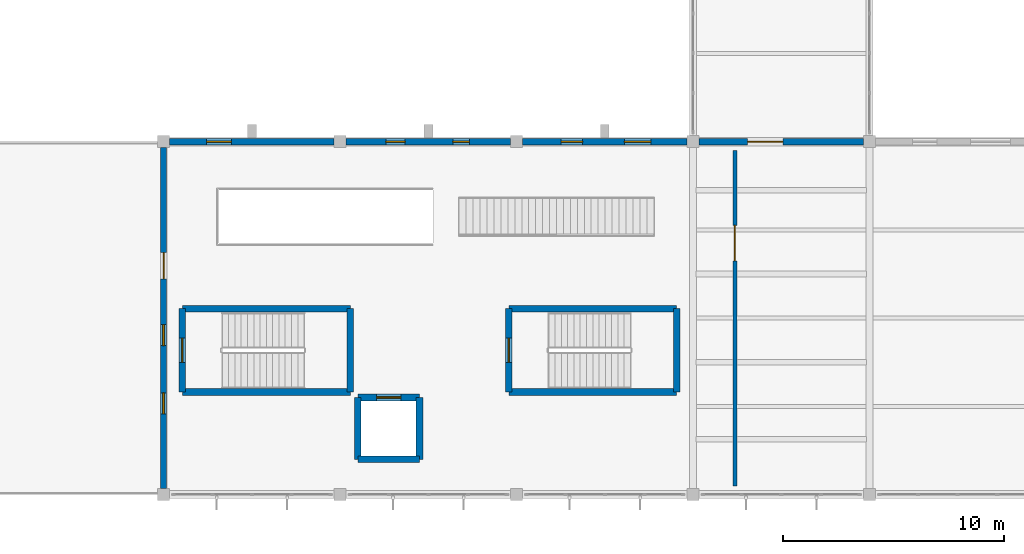
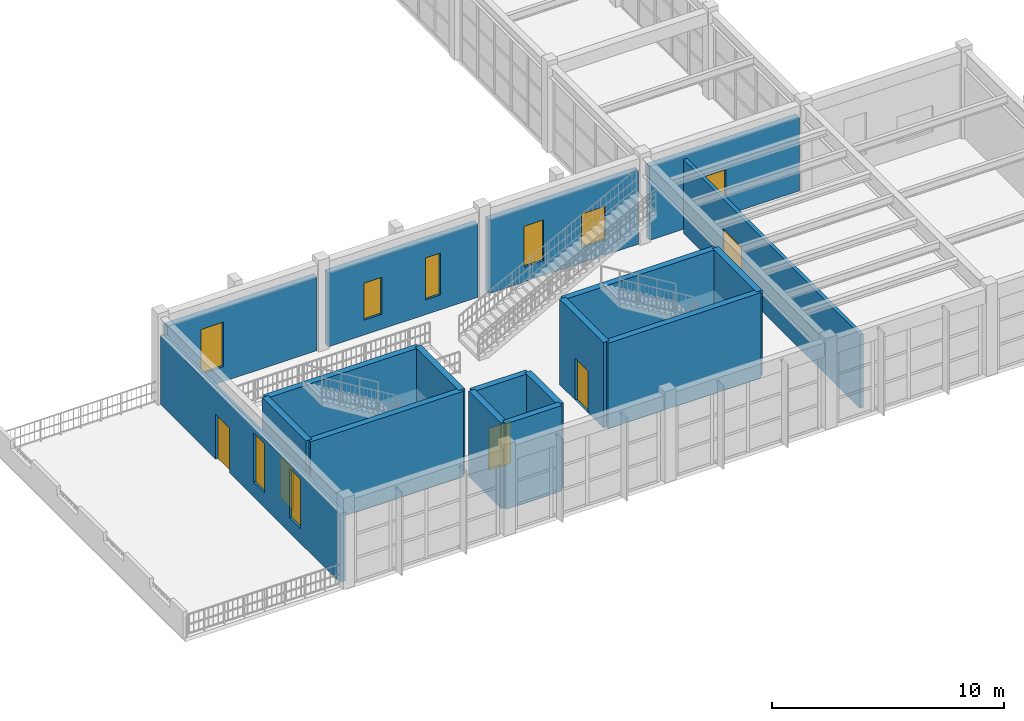
# One storey, part 40 of 59: 18 walls, 7 windows, 6 doors, 13 openings.
"""IFC4 building model written with IfcOpenShell, lengths in metres."""

from ifc_helpers import new_model, si_unit, direction, frame, frame_2d, origin, place, context, subcontext, project, spatial, rectangle, extrude, material, layer, layer_set, type_object, element, fill, save


model = new_model("IFC4")

# Units and contexts
model_context = context("Model", 3, precision=1e-05, world=origin(), true_north=direction((0.0, 1.0)))
body_context = subcontext(model_context, "Body", "Model", "MODEL_VIEW")
ifc_project = project(units=[si_unit("LENGTHUNIT", "METRE"), si_unit("AREAUNIT", "SQUARE_METRE"), si_unit("VOLUMEUNIT", "CUBIC_METRE"), si_unit("PLANEANGLEUNIT", "RADIAN"), si_unit("MASSUNIT", "GRAM", prefix="KILO")], contexts=[model_context])

# Site, building, storey
site_placement = place(None, origin())
site = spatial("IfcSite", under=ifc_project, at=site_placement, CompositionType="ELEMENT")
building_placement = place(site_placement, origin())
building = spatial("IfcBuilding", under=site, at=building_placement, Name="Serraluz Foothill Cableway Terminal", CompositionType="ELEMENT")
storey_placement = place(building_placement, frame((0.0, 0.0, 4.800048828125)))
storey = spatial("IfcBuildingStorey", under=building, at=storey_placement, Name="L01", CompositionType="ELEMENT", Elevation=4.800048828125)

# Wall, opening, window
ifc_material_1 = material(Name="Fired clay masonry brick (f'm 12 MPa)", Category="masonry")
ifc_layer_1 = layer(ifc_material_1, 0.280029296875, Name="Fired clay masonry brick (f'm 12 MPa)", Category="masonry")
ifc_layer_set_1 = layer_set([ifc_layer_1], Name="Fired clay masonry brick (f'm 12 MPa)")
wall_type_1 = type_object("IfcWallType", Name="TYP-WL-EXT-280", PredefinedType="STANDARD", material=ifc_layer_set_1)
wall_1_placement = place(storey_placement, frame((96.27490234375, 16.0, 0.0), z_axis=(0.0, 0.0, 1.0), x_axis=(1.0, 0.0, 0.0)))
wall_1 = element("IfcWall", 1, at=wall_1_placement, inside=storey, type_object=wall_type_1, Name="Exterior Masonry Wall EW-V3N-L01-96", PredefinedType="STANDARD", context=body_context, shape_type="SweptSolid", body=[
    extrude(rectangle(XDim=7.4501953125, YDim=0.280029296875, at=frame_2d((3.72509765625, 0.0))), origin(), (0.0, 0.0, 1.0), 3.889892578125),
])
opening_1_placement = place(wall_1_placement, frame((1.675048828125, 0.0, 0.780029296875)))
opening_1 = element("IfcOpeningElement", 2, at=opening_1_placement, cuts=wall_1, Name="Opening W-50", PredefinedType="OPENING", context=body_context, shape_type="SweptSolid", body=[
    extrude(rectangle(XDim=1.1201171875, YDim=2.35009765625, at=frame_2d((0.56005859375, 1.175048828125))), frame((0.0, 0.14990234375, 0.0), z_axis=(0.0, -1.0, 0.0), x_axis=(1.0, 0.0, 0.0)), (0.0, 0.0, 1.0), 0.300048828125),
])
ifc_material_2 = material(Name="Laminated low-E safety glass", Category="glass")
window_type_1 = type_object("IfcWindowType", Name="TYP-WN-112X235", PartitioningType="SINGLE_PANEL", PredefinedType="WINDOW", material=ifc_material_2)
window_1_placement = place(opening_1_placement, origin())
window_1 = element("IfcWindow", 3, at=window_1_placement, inside=storey, type_object=window_type_1, Name="Exterior Window EW-V3N-L01-96-WN1", OverallHeight=2.35009765625, OverallWidth=1.1201171875, PartitioningType="SINGLE_PANEL", PredefinedType="WINDOW", context=body_context, shape_type="SweptSolid", body=[
    extrude(rectangle(XDim=1.1201171875, YDim=2.35009765625, at=frame_2d((0.56005859375, 1.175048828125))), frame((0.0, 0.030029296875, 0.0), z_axis=(0.0, -1.0, 0.0), x_axis=(1.0, 0.0, 0.0)), (0.0, 0.0, 1.0), 0.06005859375),
])
fill(opening_1, window_1)

# Wall, openings, windows
wall_2_placement = place(storey_placement, frame((104.27490234375, 16.0, 0.0), z_axis=(0.0, 0.0, 1.0), x_axis=(1.0, 0.0, 0.0)))
wall_2 = element("IfcWall", 4, at=wall_2_placement, inside=storey, type_object=wall_type_1, Name="Exterior Masonry Wall EW-V3N-L01-104", PredefinedType="STANDARD", context=body_context, shape_type="SweptSolid", body=[
    extrude(rectangle(XDim=7.4501953125, YDim=0.280029296875, at=frame_2d((3.72509765625, 0.0))), origin(), (0.0, 0.0, 1.0), 3.889892578125),
])
opening_2_placement = place(wall_2_placement, frame((1.794921875, 0.0, 0.780029296875)))
opening_2 = element("IfcOpeningElement", 5, at=opening_2_placement, cuts=wall_2, Name="Opening W-48", PredefinedType="OPENING", context=body_context, shape_type="SweptSolid", body=[
    extrude(rectangle(XDim=0.8798828125, YDim=1.949951171875, at=frame_2d((0.43994140625, 0.97509765625))), frame((0.0, 0.14990234375, 0.0), z_axis=(0.0, -1.0, 0.0), x_axis=(1.0, 0.0, 0.0)), (0.0, 0.0, 1.0), 0.300048828125),
])
opening_3_placement = place(wall_2_placement, frame((4.840087890625, 0.0, 0.780029296875)))
opening_3 = element("IfcOpeningElement", 6, at=opening_3_placement, cuts=wall_2, Name="Opening W-01", PredefinedType="OPENING", context=body_context, shape_type="SweptSolid", body=[
    extrude(rectangle(XDim=0.75, YDim=2.199951171875, at=frame_2d((0.375, 1.10009765625))), frame((0.0, 0.14990234375, 0.0), z_axis=(0.0, -1.0, 0.0), x_axis=(1.0, 0.0, 0.0)), (0.0, 0.0, 1.0), 0.300048828125),
])
window_type_2 = type_object("IfcWindowType", Name="TYP-WN-075X220", PartitioningType="SINGLE_PANEL", PredefinedType="WINDOW", material=ifc_material_2)
window_2_placement = place(opening_3_placement, origin())
window_2 = element("IfcWindow", 7, at=window_2_placement, inside=storey, type_object=window_type_2, Name="Exterior Window EW-V3N-L01-104-WN2", OverallHeight=2.199951171875, OverallWidth=0.75, PartitioningType="SINGLE_PANEL", PredefinedType="WINDOW", context=body_context, shape_type="SweptSolid", body=[
    extrude(rectangle(XDim=0.75, YDim=2.199951171875, at=frame_2d((0.375, 1.10009765625))), frame((0.0, 0.030029296875, 0.0), z_axis=(0.0, -1.0, 0.0), x_axis=(1.0, 0.0, 0.0)), (0.0, 0.0, 1.0), 0.06005859375),
])
fill(opening_3, window_2)
window_type_3 = type_object("IfcWindowType", Name="TYP-WN-088X195", PartitioningType="SINGLE_PANEL", PredefinedType="WINDOW", material=ifc_material_2)
window_3_placement = place(opening_2_placement, origin())
window_3 = element("IfcWindow", 8, at=window_3_placement, inside=storey, type_object=window_type_3, Name="Exterior Window EW-V3N-L01-104-WN1", OverallHeight=1.949951171875, OverallWidth=0.8798828125, PartitioningType="SINGLE_PANEL", PredefinedType="WINDOW", context=body_context, shape_type="SweptSolid", body=[
    extrude(rectangle(XDim=0.8798828125, YDim=1.949951171875, at=frame_2d((0.43994140625, 0.97509765625))), frame((0.0, 0.030029296875, 0.0), z_axis=(0.0, -1.0, 0.0), x_axis=(1.0, 0.0, 0.0)), (0.0, 0.0, 1.0), 0.06005859375),
])
fill(opening_2, window_3)

wall_3_placement = place(storey_placement, frame((112.27490234375, 16.0, 0.0), z_axis=(0.0, 0.0, 1.0), x_axis=(1.0, 0.0, 0.0)))
wall_3 = element("IfcWall", 9, at=wall_3_placement, inside=storey, type_object=wall_type_1, Name="Exterior Masonry Wall EW-V3N-L01-112", PredefinedType="STANDARD", context=body_context, shape_type="SweptSolid", body=[
    extrude(rectangle(XDim=7.4501953125, YDim=0.280029296875, at=frame_2d((3.72509765625, 0.0))), origin(), (0.0, 0.0, 1.0), 3.889892578125),
])
opening_4_placement = place(wall_3_placement, frame((1.7451171875, 0.0, 0.780029296875)))
opening_4 = element("IfcOpeningElement", 10, at=opening_4_placement, cuts=wall_3, Name="Opening W-49", PredefinedType="OPENING", context=body_context, shape_type="SweptSolid", body=[
    extrude(rectangle(XDim=0.97998046875, YDim=2.14990234375, at=frame_2d((0.489990234375, 1.074951171875))), frame((0.0, 0.14990234375, 0.0), z_axis=(0.0, -1.0, 0.0), x_axis=(1.0, 0.0, 0.0)), (0.0, 0.0, 1.0), 0.300048828125),
])
opening_5_placement = place(wall_3_placement, frame((4.614990234375, 0.0, 0.780029296875)))
opening_5 = element("IfcOpeningElement", 11, at=opening_5_placement, cuts=wall_3, Name="Opening W-05", PredefinedType="OPENING", context=body_context, shape_type="SweptSolid", body=[
    extrude(rectangle(XDim=1.199951171875, YDim=1.800048828125, at=frame_2d((0.60009765625, 0.89990234375))), frame((0.0, 0.14990234375, 0.0), z_axis=(0.0, -1.0, 0.0), x_axis=(1.0, 0.0, 0.0)), (0.0, 0.0, 1.0), 0.300048828125),
])
window_type_4 = type_object("IfcWindowType", Name="TYP-WN-098X215", PartitioningType="SINGLE_PANEL", PredefinedType="WINDOW", material=ifc_material_2)
window_4_placement = place(opening_4_placement, origin())
window_4 = element("IfcWindow", 12, at=window_4_placement, inside=storey, type_object=window_type_4, Name="Exterior Window EW-V3N-L01-112-WN1", OverallHeight=2.14990234375, OverallWidth=0.97998046875, PartitioningType="SINGLE_PANEL", PredefinedType="WINDOW", context=body_context, shape_type="SweptSolid", body=[
    extrude(rectangle(XDim=0.97998046875, YDim=2.14990234375, at=frame_2d((0.489990234375, 1.074951171875))), frame((0.0, 0.030029296875, 0.0), z_axis=(0.0, -1.0, 0.0), x_axis=(1.0, 0.0, 0.0)), (0.0, 0.0, 1.0), 0.06005859375),
])
fill(opening_4, window_4)
window_type_5 = type_object("IfcWindowType", Name="TYP-WN-120X180", PartitioningType="DOUBLE_PANEL_VERTICAL", PredefinedType="WINDOW", material=ifc_material_2)
window_5_placement = place(opening_5_placement, origin())
window_5 = element("IfcWindow", 13, at=window_5_placement, inside=storey, type_object=window_type_5, Name="Exterior Window EW-V3N-L01-112-WN2", OverallHeight=1.800048828125, OverallWidth=1.199951171875, PartitioningType="SINGLE_PANEL", PredefinedType="WINDOW", context=body_context, shape_type="SweptSolid", body=[
    extrude(rectangle(XDim=1.199951171875, YDim=1.800048828125, at=frame_2d((0.60009765625, 0.89990234375))), frame((0.0, 0.030029296875, 0.0), z_axis=(0.0, -1.0, 0.0), x_axis=(1.0, 0.0, 0.0)), (0.0, 0.0, 1.0), 0.06005859375),
])
fill(opening_5, window_5)

# Wall, opening, door
wall_4_placement = place(storey_placement, frame((120.27490234375, 16.0, 0.0), z_axis=(0.0, 0.0, 1.0), x_axis=(1.0, 0.0, 0.0)))
wall_4 = element("IfcWall", 14, at=wall_4_placement, inside=storey, type_object=wall_type_1, Name="Exterior Masonry Wall EW-V3N-L01-120", PredefinedType="STANDARD", context=body_context, shape_type="SweptSolid", body=[
    extrude(rectangle(XDim=7.4501953125, YDim=0.280029296875, at=frame_2d((3.72509765625, 0.0))), origin(), (0.0, 0.0, 1.0), 3.889892578125),
])
opening_6_placement = place(wall_4_placement, frame((2.199951171875, 0.0, 0.0)))
opening_6 = element("IfcOpeningElement", 15, at=opening_6_placement, cuts=wall_4, Name="Opening DT-03", PredefinedType="OPENING", context=body_context, shape_type="SweptSolid", body=[
    extrude(rectangle(XDim=1.60009765625, YDim=2.39990234375, at=frame_2d((0.800048828125, 1.199951171875))), frame((0.0, 0.14990234375, 0.0), z_axis=(0.0, -1.0, 0.0), x_axis=(1.0, 0.0, 0.0)), (0.0, 0.0, 1.0), 0.300048828125),
])
ifc_material_3 = material(Name="Architectural bronze alloy C28000", Category="aluminium")
door_type_1 = type_object("IfcDoorType", Name="TYP-DR-TER-1600", OperationType="DOUBLE_DOOR_SINGLE_SWING", PredefinedType="DOOR", material=ifc_material_3)
door_1_placement = place(opening_6_placement, origin())
door_1 = element("IfcDoor", 16, at=door_1_placement, inside=storey, type_object=door_type_1, Name="Cloister South Bridge Door L01", OperationType="DOUBLE_DOOR_SINGLE_SWING", OverallHeight=2.39990234375, OverallWidth=1.60009765625, PredefinedType="DOOR", context=body_context, shape_type="SweptSolid", body=[
    extrude(rectangle(XDim=1.60009765625, YDim=2.39990234375, at=frame_2d((0.800048828125, 1.199951171875))), frame((0.0, 0.02490234375, 0.0), z_axis=(0.0, -1.0, 0.0), x_axis=(1.0, 0.0, 0.0)), (0.0, 0.0, 1.0), 0.050048828125),
])
fill(opening_6, door_1)

# Wall, openings, door, windows
wall_5_placement = place(storey_placement, frame((96.0, 0.27490234375, 0.0), z_axis=(0.0, 0.0, 1.0), x_axis=(0.0, 1.0, 0.0)))
wall_5 = element("IfcWall", 17, at=wall_5_placement, inside=storey, type_object=wall_type_1, Name="Exterior Masonry Wall EW-V3W-L01", PredefinedType="STANDARD", context=body_context, shape_type="SweptSolid", body=[
    extrude(rectangle(XDim=15.4501953125, YDim=0.280029296875, at=frame_2d((7.72509765625, 0.0))), origin(), (0.0, 0.0, 1.0), 3.613037109375),
])
opening_7_placement = place(wall_5_placement, frame((3.387451171875, 0.0, 0.780029296875)))
opening_7 = element("IfcOpeningElement", 18, at=opening_7_placement, cuts=wall_5, Name="Opening W-03", PredefinedType="OPENING", context=body_context, shape_type="SweptSolid", body=[
    extrude(rectangle(XDim=0.949951171875, YDim=2.60009765625, at=frame_2d((0.47509765625, 1.300048828125))), frame((0.0, 0.14990234375, 0.0), z_axis=(0.0, -1.0, 0.0), x_axis=(1.0, 0.0, 0.0)), (0.0, 0.0, 1.0), 0.300048828125),
])
opening_8_placement = place(wall_5_placement, frame((6.4775390625, 0.0, 0.780029296875)))
opening_8 = element("IfcOpeningElement", 19, at=opening_8_placement, cuts=wall_5, Name="Opening W-03", PredefinedType="OPENING", context=body_context, shape_type="SweptSolid", body=[
    extrude(rectangle(XDim=0.949951171875, YDim=2.60009765625, at=frame_2d((0.47509765625, 1.300048828125))), frame((0.0, 0.14990234375, 0.0), z_axis=(0.0, -1.0, 0.0), x_axis=(1.0, 0.0, 0.0)), (0.0, 0.0, 1.0), 0.300048828125),
])
opening_9_placement = place(wall_5_placement, frame((9.5, 0.0, 0.0)))
opening_9 = element("IfcOpeningElement", 20, at=opening_9_placement, cuts=wall_5, Name="Opening DT-02", PredefinedType="OPENING", context=body_context, shape_type="SweptSolid", body=[
    extrude(rectangle(XDim=1.199951171875, YDim=2.35009765625, at=frame_2d((0.60009765625, 1.175048828125))), frame((0.0, 0.14990234375, 0.0), z_axis=(0.0, -1.0, 0.0), x_axis=(1.0, 0.0, 0.0)), (0.0, 0.0, 1.0), 0.300048828125),
])
door_type_2 = type_object("IfcDoorType", Name="TYP-DR-TER-1200", OperationType="NOTDEFINED", PredefinedType="DOOR", material=ifc_material_3)
door_2_placement = place(opening_9_placement, origin())
door_2 = element("IfcDoor", 21, at=door_2_placement, inside=storey, type_object=door_type_2, Name="Gallery West Terrace Access Door L01", OperationType="SINGLE_SWING_RIGHT", OverallHeight=2.35009765625, OverallWidth=1.199951171875, PredefinedType="DOOR", context=body_context, shape_type="SweptSolid", body=[
    extrude(rectangle(XDim=1.199951171875, YDim=2.35009765625, at=frame_2d((0.60009765625, 1.175048828125))), frame((0.0, 0.02490234375, 0.0), z_axis=(0.0, -1.0, 0.0), x_axis=(1.0, 0.0, 0.0)), (0.0, 0.0, 1.0), 0.050048828125),
])
fill(opening_9, door_2)
window_type_6 = type_object("IfcWindowType", Name="TYP-WN-095X260", PartitioningType="SINGLE_PANEL", PredefinedType="WINDOW", material=ifc_material_2)
window_6_placement = place(opening_7_placement, origin())
window_6 = element("IfcWindow", 22, at=window_6_placement, inside=storey, type_object=window_type_6, Name="Exterior Window EW-V3W-L01-WN1", OverallHeight=2.60009765625, OverallWidth=0.949951171875, PartitioningType="SINGLE_PANEL", PredefinedType="WINDOW", context=body_context, shape_type="SweptSolid", body=[
    extrude(rectangle(XDim=0.949951171875, YDim=2.60009765625, at=frame_2d((0.47509765625, 1.300048828125))), frame((0.0, 0.030029296875, 0.0), z_axis=(0.0, -1.0, 0.0), x_axis=(1.0, 0.0, 0.0)), (0.0, 0.0, 1.0), 0.06005859375),
])
fill(opening_7, window_6)
window_7_placement = place(opening_8_placement, origin())
window_7 = element("IfcWindow", 23, at=window_7_placement, inside=storey, type_object=window_type_6, Name="Exterior Window EW-V3W-L01-WN2", OverallHeight=2.60009765625, OverallWidth=0.949951171875, PartitioningType="SINGLE_PANEL", PredefinedType="WINDOW", context=body_context, shape_type="SweptSolid", body=[
    extrude(rectangle(XDim=0.949951171875, YDim=2.60009765625, at=frame_2d((0.47509765625, 1.300048828125))), frame((0.0, 0.030029296875, 0.0), z_axis=(0.0, -1.0, 0.0), x_axis=(1.0, 0.0, 0.0)), (0.0, 0.0, 1.0), 0.06005859375),
])
fill(opening_8, window_7)

# Wall, opening, door
ifc_layer_2 = layer(ifc_material_1, 0.179931640625, Name="Fired clay masonry brick (f'm 12 MPa)", Category="masonry")
ifc_layer_set_2 = layer_set([ifc_layer_2], Name="Fired clay masonry brick (f'm 12 MPa)")
wall_type_2 = type_object("IfcWallType", Name="TYP-WL-PRT-180", PredefinedType="PARTITIONING", material=ifc_layer_set_2)
wall_6_placement = place(storey_placement, frame((121.89990234375, 0.39990234375, 0.0), z_axis=(0.0, 0.0, 1.0), x_axis=(0.0, 1.0, 0.0)))
wall_6 = element("IfcWall", 24, at=wall_6_placement, inside=storey, type_object=wall_type_2, Name="Interior Partition PT-L01-06", PredefinedType="PARTITIONING", context=body_context, shape_type="SweptSolid", body=[
    extrude(rectangle(XDim=15.2001953125, YDim=0.179931640625, at=frame_2d((7.60009765625, 0.0))), origin(), (0.0, 0.0, 1.0), 3.8818359375),
])
opening_10_placement = place(wall_6_placement, frame((10.199951171875, 0.0, 0.0)))
opening_10 = element("IfcOpeningElement", 25, at=opening_10_placement, cuts=wall_6, Name="Opening DI-05", PredefinedType="OPENING", context=body_context, shape_type="SweptSolid", body=[
    extrude(rectangle(XDim=1.60009765625, YDim=2.300048828125, at=frame_2d((0.800048828125, 1.14990234375))), frame((0.0, 0.10009765625, 0.0), z_axis=(0.0, -1.0, 0.0), x_axis=(1.0, 0.0, 0.0)), (0.0, 0.0, 1.0), 0.199951171875),
])
door_type_3 = type_object("IfcDoorType", Name="TYP-DR-DBL-1600", OperationType="DOUBLE_DOOR_SINGLE_SWING", PredefinedType="DOOR", material=ifc_material_3)
door_3_placement = place(opening_10_placement, origin())
door_3 = element("IfcDoor", 26, at=door_3_placement, inside=storey, type_object=door_type_3, Name="Interior Door PT-L01-06-DR1", OperationType="DOUBLE_DOOR_SINGLE_SWING", OverallHeight=2.300048828125, OverallWidth=1.60009765625, PredefinedType="DOOR", context=body_context, shape_type="SweptSolid", body=[
    extrude(rectangle(XDim=1.60009765625, YDim=2.300048828125, at=frame_2d((0.800048828125, 1.14990234375))), frame((0.0, 0.02490234375, 0.0), z_axis=(0.0, -1.0, 0.0), x_axis=(1.0, 0.0, 0.0)), (0.0, 0.0, 1.0), 0.050048828125),
])
fill(opening_10, door_3)

# Wall
ifc_material_4 = material(Name="Concrete C35/45 (f'c 35 MPa)", Category="concrete")
ifc_layer_3 = layer(ifc_material_4, 0.300048828125, Name="Concrete C35/45 (f'c 35 MPa)", Category="concrete")
ifc_layer_set_3 = layer_set([ifc_layer_3], Name="Concrete C35/45 (f'c 35 MPa)")
wall_type_3 = type_object("IfcWallType", Name="TYP-WL-SHR-350", PredefinedType="SHEAR", material=ifc_layer_set_3)
wall_7_placement = place(storey_placement, frame((104.4599609375, 4.64990234375, 0.0), z_axis=(0.0, 0.0, 1.0), x_axis=(-1.0, 0.0, 0.0)))
element("IfcWall", 27, at=wall_7_placement, inside=storey, type_object=wall_type_3, Name="Stair Core Shear Wall CW-ST-06-L01-S", PredefinedType="SHEAR", context=body_context, shape_type="SweptSolid", body=[
    extrude(rectangle(XDim=7.60986328125, YDim=0.300048828125, at=frame_2d((3.804931640625, 0.0))), origin(), (0.0, 0.0, 1.0), 4.5),
])

# Wall, opening, door
wall_8_placement = place(storey_placement, frame((96.85009765625, 4.64990234375, 0.0), z_axis=(0.0, 0.0, 1.0), x_axis=(0.0, 1.0, 0.0)))
wall_8 = element("IfcWall", 28, at=wall_8_placement, inside=storey, type_object=wall_type_3, Name="Stair Core Shear Wall CW-ST-06-L01-W", PredefinedType="SHEAR", context=body_context, shape_type="SweptSolid", body=[
    extrude(rectangle(XDim=3.780029296875, YDim=0.300048828125, at=frame_2d((1.89013671875, 0.0))), origin(), (0.0, 0.0, 1.0), 4.5),
])
opening_11_placement = place(wall_8_placement, frame((1.340087890625, 0.0, 0.0)))
opening_11 = element("IfcOpeningElement", 29, at=opening_11_placement, cuts=wall_8, Name="Opening DF-07", PredefinedType="OPENING", context=body_context, shape_type="SweptSolid", body=[
    extrude(rectangle(XDim=1.10009765625, YDim=2.199951171875, at=frame_2d((0.550048828125, 1.10009765625))), frame((0.0, 0.16015625, 0.0), z_axis=(0.0, -1.0, 0.0), x_axis=(1.0, 0.0, 0.0)), (0.0, 0.0, 1.0), 0.320068359375),
])
ifc_material_5 = material(Name="Galvanized hollow-metal steel sheet", Category="steel")
door_type_4 = type_object("IfcDoorType", Name="TYP-DR-FD60-1100", OperationType="NOTDEFINED", PredefinedType="DOOR", material=ifc_material_5)
door_4_placement = place(opening_11_placement, origin())
door_4 = element("IfcDoor", 30, at=door_4_placement, inside=storey, type_object=door_type_4, Name="Exit Stair Fire Door ST-06 L01", OperationType="SINGLE_SWING_RIGHT", OverallHeight=2.199951171875, OverallWidth=1.10009765625, PredefinedType="DOOR", context=body_context, shape_type="SweptSolid", body=[
    extrude(rectangle(XDim=1.10009765625, YDim=2.199951171875, at=frame_2d((0.550048828125, 1.10009765625))), frame((0.0, 0.02490234375, 0.0), z_axis=(0.0, -1.0, 0.0), x_axis=(1.0, 0.0, 0.0)), (0.0, 0.0, 1.0), 0.050048828125),
])
fill(opening_11, door_4)

# Walls
wall_9_placement = place(storey_placement, frame((96.85009765625, 8.429931640625, 0.0), z_axis=(0.0, 0.0, 1.0), x_axis=(1.0, 0.0, 0.0)))
element("IfcWall", 31, at=wall_9_placement, inside=storey, type_object=wall_type_3, Name="Stair Core Shear Wall CW-ST-06-L01-N", PredefinedType="SHEAR", context=body_context, shape_type="SweptSolid", body=[
    extrude(rectangle(XDim=7.60986328125, YDim=0.300048828125, at=frame_2d((3.804931640625, 0.0))), origin(), (0.0, 0.0, 1.0), 4.5),
])
wall_10_placement = place(storey_placement, frame((104.4599609375, 8.429931640625, 0.0), z_axis=(0.0, 0.0, 1.0), x_axis=(0.0, -1.0, 0.0)))
element("IfcWall", 32, at=wall_10_placement, inside=storey, type_object=wall_type_3, Name="Stair Core Shear Wall CW-ST-06-L01-E", PredefinedType="SHEAR", context=body_context, shape_type="SweptSolid", body=[
    extrude(rectangle(XDim=3.780029296875, YDim=0.300048828125, at=frame_2d((1.89013671875, 0.0))), origin(), (0.0, 0.0, 1.0), 4.5),
])
wall_11_placement = place(storey_placement, frame((119.260009765625, 4.64990234375, 0.0), z_axis=(0.0, 0.0, 1.0), x_axis=(-1.0, 0.0, 0.0)))
element("IfcWall", 33, at=wall_11_placement, inside=storey, type_object=wall_type_3, Name="Stair Core Shear Wall CW-ST-07-L01-S", PredefinedType="SHEAR", context=body_context, shape_type="SweptSolid", body=[
    extrude(rectangle(XDim=7.610107421875, YDim=0.300048828125, at=frame_2d((3.80517578125, 0.0))), origin(), (0.0, 0.0, 1.0), 4.5),
])

# Wall, opening, door
wall_12_placement = place(storey_placement, frame((111.64990234375, 4.64990234375, 0.0), z_axis=(0.0, 0.0, 1.0), x_axis=(0.0, 1.0, 0.0)))
wall_12 = element("IfcWall", 34, at=wall_12_placement, inside=storey, type_object=wall_type_3, Name="Stair Core Shear Wall CW-ST-07-L01-W", PredefinedType="SHEAR", context=body_context, shape_type="SweptSolid", body=[
    extrude(rectangle(XDim=3.780029296875, YDim=0.300048828125, at=frame_2d((1.89013671875, 0.0))), origin(), (0.0, 0.0, 1.0), 4.5),
])
opening_12_placement = place(wall_12_placement, frame((1.340087890625, 0.0, 0.0)))
opening_12 = element("IfcOpeningElement", 35, at=opening_12_placement, cuts=wall_12, Name="Opening DF-07", PredefinedType="OPENING", context=body_context, shape_type="SweptSolid", body=[
    extrude(rectangle(XDim=1.10009765625, YDim=2.199951171875, at=frame_2d((0.550048828125, 1.10009765625))), frame((0.0, 0.16015625, 0.0), z_axis=(0.0, -1.0, 0.0), x_axis=(1.0, 0.0, 0.0)), (0.0, 0.0, 1.0), 0.320068359375),
])
door_5_placement = place(opening_12_placement, origin())
door_5 = element("IfcDoor", 36, at=door_5_placement, inside=storey, type_object=door_type_4, Name="Exit Stair Fire Door ST-07 L01", OperationType="SINGLE_SWING_RIGHT", OverallHeight=2.199951171875, OverallWidth=1.10009765625, PredefinedType="DOOR", context=body_context, shape_type="SweptSolid", body=[
    extrude(rectangle(XDim=1.10009765625, YDim=2.199951171875, at=frame_2d((0.550048828125, 1.10009765625))), frame((0.0, 0.02490234375, 0.0), z_axis=(0.0, -1.0, 0.0), x_axis=(1.0, 0.0, 0.0)), (0.0, 0.0, 1.0), 0.050048828125),
])
fill(opening_12, door_5)

# Walls
wall_13_placement = place(storey_placement, frame((111.64990234375, 8.429931640625, 0.0), z_axis=(0.0, 0.0, 1.0), x_axis=(1.0, 0.0, 0.0)))
element("IfcWall", 37, at=wall_13_placement, inside=storey, type_object=wall_type_3, Name="Stair Core Shear Wall CW-ST-07-L01-N", PredefinedType="SHEAR", context=body_context, shape_type="SweptSolid", body=[
    extrude(rectangle(XDim=7.610107421875, YDim=0.300048828125, at=frame_2d((3.80517578125, 0.0))), origin(), (0.0, 0.0, 1.0), 4.5),
])
wall_14_placement = place(storey_placement, frame((119.260009765625, 8.429931640625, 0.0), z_axis=(0.0, 0.0, 1.0), x_axis=(0.0, -1.0, 0.0)))
element("IfcWall", 38, at=wall_14_placement, inside=storey, type_object=wall_type_3, Name="Stair Core Shear Wall CW-ST-07-L01-E", PredefinedType="SHEAR", context=body_context, shape_type="SweptSolid", body=[
    extrude(rectangle(XDim=3.780029296875, YDim=0.300048828125, at=frame_2d((1.89013671875, 0.0))), origin(), (0.0, 0.0, 1.0), 4.5),
])
wall_15_placement = place(storey_placement, frame((107.60009765625, 1.60009765625, 0.0), z_axis=(0.0, 0.0, 1.0), x_axis=(-1.0, 0.0, 0.0)))
element("IfcWall", 39, at=wall_15_placement, inside=storey, type_object=wall_type_3, Name="Lift Shaft Shear Wall LW-LF-06-L01-S", PredefinedType="SHEAR", context=body_context, shape_type="SweptSolid", body=[
    extrude(rectangle(XDim=2.800048828125, YDim=0.300048828125, at=frame_2d((1.39990234375, 0.0))), origin(), (0.0, 0.0, 1.0), 4.5),
])
wall_16_placement = place(storey_placement, frame((104.800048828125, 1.60009765625, 0.0), z_axis=(0.0, 0.0, 1.0), x_axis=(0.0, 1.0, 0.0)))
element("IfcWall", 40, at=wall_16_placement, inside=storey, type_object=wall_type_3, Name="Lift Shaft Shear Wall LW-LF-06-L01-W", PredefinedType="SHEAR", context=body_context, shape_type="SweptSolid", body=[
    extrude(rectangle(XDim=2.7998046875, YDim=0.300048828125, at=frame_2d((1.39990234375, 0.0))), origin(), (0.0, 0.0, 1.0), 4.5),
])

# Wall, opening, door
wall_17_placement = place(storey_placement, frame((104.800048828125, 4.39990234375, 0.0), z_axis=(0.0, 0.0, 1.0), x_axis=(1.0, 0.0, 0.0)))
wall_17 = element("IfcWall", 41, at=wall_17_placement, inside=storey, type_object=wall_type_3, Name="Lift Shaft Shear Wall LW-LF-06-L01-N", PredefinedType="SHEAR", context=body_context, shape_type="SweptSolid", body=[
    extrude(rectangle(XDim=2.800048828125, YDim=0.300048828125, at=frame_2d((1.39990234375, 0.0))), origin(), (0.0, 0.0, 1.0), 4.5),
])
opening_13_placement = place(wall_17_placement, frame((0.85009765625, 0.0, 0.0)))
opening_13 = element("IfcOpeningElement", 42, at=opening_13_placement, cuts=wall_17, Name="Opening LD-01", PredefinedType="OPENING", context=body_context, shape_type="SweptSolid", body=[
    extrude(rectangle(XDim=1.10009765625, YDim=2.199951171875, at=frame_2d((0.550048828125, 1.10009765625))), frame((0.0, 0.16015625, 0.0), z_axis=(0.0, -1.0, 0.0), x_axis=(1.0, 0.0, 0.0)), (0.0, 0.0, 1.0), 0.320068359375),
])
door_type_5 = type_object("IfcDoorType", Name="TYP-DR-LD-1100", OperationType="DOUBLE_DOOR_SLIDING", PredefinedType="DOOR", material=ifc_material_5)
door_6_placement = place(opening_13_placement, origin())
door_6 = element("IfcDoor", 43, at=door_6_placement, inside=storey, type_object=door_type_5, Name="Lift Sliding Landing Door LF-06 L01", OperationType="DOUBLE_DOOR_SLIDING", OverallHeight=2.199951171875, OverallWidth=1.10009765625, PredefinedType="DOOR", context=body_context, shape_type="SweptSolid", body=[
    extrude(rectangle(XDim=1.10009765625, YDim=2.199951171875, at=frame_2d((0.550048828125, 1.10009765625))), frame((0.0, 0.02490234375, 0.0), z_axis=(0.0, -1.0, 0.0), x_axis=(1.0, 0.0, 0.0)), (0.0, 0.0, 1.0), 0.050048828125),
])
fill(opening_13, door_6)

# Wall
wall_18_placement = place(storey_placement, frame((107.60009765625, 4.39990234375, 0.0), z_axis=(0.0, 0.0, 1.0), x_axis=(0.0, -1.0, 0.0)))
element("IfcWall", 44, at=wall_18_placement, inside=storey, type_object=wall_type_3, Name="Lift Shaft Shear Wall LW-LF-06-L01-E", PredefinedType="SHEAR", context=body_context, shape_type="SweptSolid", body=[
    extrude(rectangle(XDim=2.7998046875, YDim=0.300048828125, at=frame_2d((1.39990234375, 0.0))), origin(), (0.0, 0.0, 1.0), 4.5),
])

save(model, "model.ifc")
